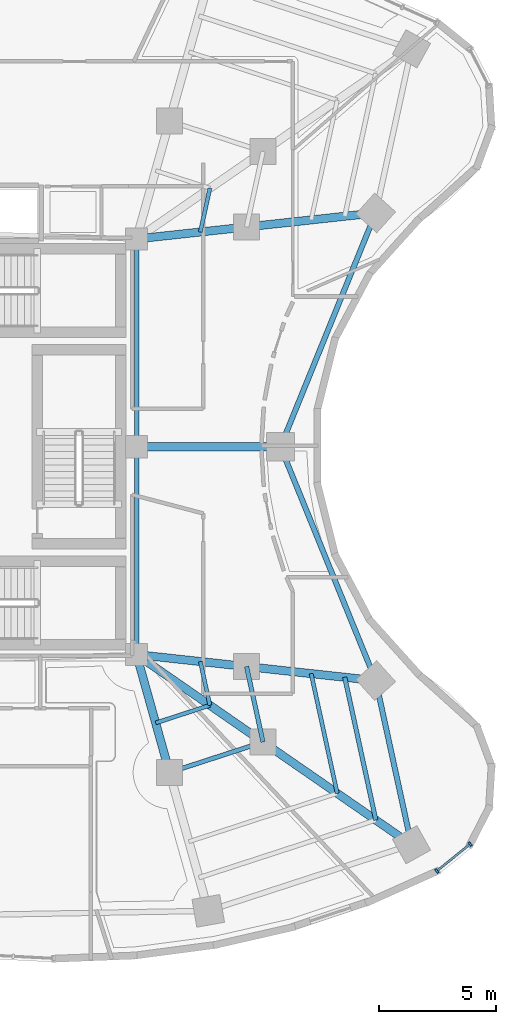
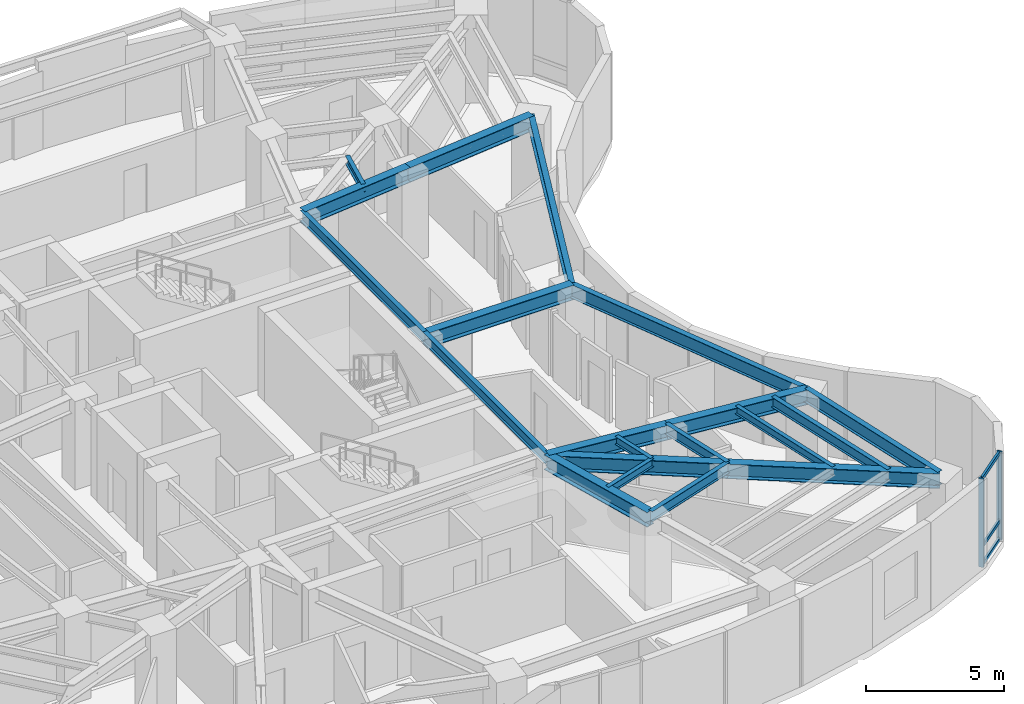
# One storey, part 4 of 15: 20 beams, 5 members, 1 element without a shape of its own.
"""IFC4 building model written with IfcOpenShell, lengths in metres."""

from ifc_helpers import new_model, si_unit, direction, frame, origin, origin_2d, place, context, subcontext, project, spatial, rectangle, i_section, extrude, material, layer, layer_set, material_profile, profile_set, type_object, element, aggregate, save


model = new_model("IFC4")

# Units and contexts
model_context = context("Model", 3, precision=1e-05, world=origin(), true_north=direction((0.0, 1.0)))
body_context = subcontext(model_context, "Body", "Model", "MODEL_VIEW")
ifc_project = project(units=[si_unit("LENGTHUNIT", "METRE"), si_unit("AREAUNIT", "SQUARE_METRE"), si_unit("VOLUMEUNIT", "CUBIC_METRE"), si_unit("PLANEANGLEUNIT", "RADIAN"), si_unit("MASSUNIT", "GRAM", prefix="KILO")], contexts=[model_context])

# Site, building, storey
site_placement = place(None, origin())
site = spatial("IfcSite", under=ifc_project, at=site_placement, CompositionType="ELEMENT")
building_placement = place(site_placement, origin())
building = spatial("IfcBuilding", under=site, at=building_placement, Name="Korentha Bioscience Tower", CompositionType="ELEMENT")
storey_placement = place(building_placement, frame((0.0, 0.0, 111.0)))
storey = spatial("IfcBuildingStorey", under=building, at=storey_placement, Name="L25", CompositionType="ELEMENT", Elevation=111.0)

# Beams
ifc_material_1 = material(Name="Steel S355", Category="steel")
ifc_material_profile_1 = material_profile(ifc_material_1, i_section(OverallWidth=0.18994140625, OverallDepth=0.45703125, WebThickness=0.009033203125, FlangeThickness=0.014404296875, at=origin_2d()), Name="Steel S355")
ifc_profile_set_1 = profile_set([ifc_material_profile_1], Name="Steel S355 (MB-460)")
beam_type_1 = type_object("IfcBeamType", Name="Mid-Ring Tie Girder W460x74", PredefinedType="BEAM", material=ifc_profile_set_1)
beam_1_placement = place(storey_placement, frame((38.954833984375, 13.129150390625, 3.67138671875), z_axis=(0.95087582253, 0.309572560361, 0.0), x_axis=(-0.309572560361, 0.95087582253, 0.0)))
element("IfcBeam", 1, at=beam_1_placement, inside=storey, type_object=beam_type_1, Name="L25 Mid-Ring Tie Girder 12", PredefinedType="BEAM", context=body_context, shape_type="SweptSolid", body=[
    extrude(i_section(OverallWidth=0.18994140625, OverallDepth=0.45703125, WebThickness=0.009033203125, FlangeThickness=0.014404296875, at=origin_2d()), origin(), (0.0, 0.0, 1.0), 4.186767578125),
])
beam_2_placement = place(storey_placement, frame((42.93603515625, 14.42529296875, 3.67138671875), z_axis=(-0.212928773299, 0.977067724112, 0.0), x_axis=(-0.977067724112, -0.212928773299, 0.0)))
element("IfcBeam", 2, at=beam_2_placement, inside=storey, type_object=beam_type_1, Name="L25 Mid-Ring Tie Girder 13", PredefinedType="BEAM", context=body_context, shape_type="SweptSolid", body=[
    extrude(i_section(OverallWidth=0.18994140625, OverallDepth=0.45703125, WebThickness=0.009033203125, FlangeThickness=0.014404296875, at=origin_2d()), origin(), (0.0, 0.0, 1.0), 3.28955078125),
])
for number, where, z_axis, x_axis, name in (
    (3, (37.550048828125, 18.14990234375, 3.67138671875), (0.0, 1.0, 0.0), (-1.0, 0.0, 0.0), "L25 Core Ring Tie Girder 06"),
    (4, (37.550048828125, 27.0, 3.67138671875), (0.0, 1.0, 0.0), (-1.0, 0.0, 0.0), "L25 Core Ring Tie Girder 07"),
):
    element("IfcBeam", number, at=place(storey_placement, frame(where, z_axis=z_axis, x_axis=x_axis)), inside=storey, type_object=beam_type_1, Name=name, PredefinedType="BEAM", context=body_context, shape_type="SweptSolid", body=[
        extrude(i_section(OverallWidth=0.18994140625, OverallDepth=0.45703125, WebThickness=0.009033203125, FlangeThickness=0.014404296875, at=origin_2d()), origin(), (0.0, 0.0, 1.0), 8.85009765625),
    ])

# Curtain wall, members
ifc_material_2 = material(Name="Thermally Broken Aluminium Frame", Category="aluminium")
ifc_layer = layer(ifc_material_2, 0.219970703125, Name="Thermally Broken Aluminium Frame")
ifc_layer_set = layer_set([ifc_layer], Name="Thermally Broken Aluminium Frame (CW-T1)")
curtain_wall_type = type_object("IfcCurtainWallType", Name="Standard Bioscience Lab Unitised Curtain Wall CW-T1", PredefinedType="USERDEFINED", material=ifc_layer_set)
curtain_wall_placement = place(storey_placement, origin())
curtain_wall = element("IfcCurtainWall", 5, at=curtain_wall_placement, inside=storey, type_object=curtain_wall_type, Name="L25 Curtain Wall 37", ObjectType="UNITISED", PredefinedType="USERDEFINED")
ifc_material_3 = material(Name="Anodised Aluminium 6063-T6", Category="aluminium")
ifc_material_profile_2 = material_profile(ifc_material_3, rectangle(XDim=0.090087890625, YDim=0.199951171875, at=origin_2d()), Name="Anodised Aluminium 6063-T6")
ifc_profile_set_2 = profile_set([ifc_material_profile_2], Name="Anodised Aluminium 6063-T6 (CW-MUL)")
member_type_1 = type_object("IfcMemberType", Name="Mullion RECT 90x200", PredefinedType="MULLION", material=ifc_profile_set_2)
member_1_placement = place(storey_placement, frame((50.337158203125, 8.931884765625, 0.0), z_axis=(0.0, 0.0, 1.0), x_axis=(0.777315301098, 0.629111216463, 0.0)))
member_1 = element("IfcMember", 6, at=member_1_placement, type_object=member_type_1, Name="CW-L25-37 Mullion 1", PredefinedType="MULLION", context=body_context, shape_type="SweptSolid", body=[
    extrude(rectangle(XDim=0.090087890625, YDim=0.199951171875, at=origin_2d()), origin(), (0.0, 0.0, 1.0), 3.89990234375),
])
member_2_placement = place(storey_placement, frame((51.7578125, 10.08154296875, 0.0), z_axis=(0.0, 0.0, 1.0), x_axis=(0.777315301098, 0.629111216463, 0.0)))
member_2 = element("IfcMember", 7, at=member_2_placement, type_object=member_type_1, Name="CW-L25-37 Mullion 2", PredefinedType="MULLION", context=body_context, shape_type="SweptSolid", body=[
    extrude(rectangle(XDim=0.090087890625, YDim=0.199951171875, at=origin_2d()), origin(), (0.0, 0.0, 1.0), 3.89990234375),
])

# Beams
ifc_material_profile_3 = material_profile(ifc_material_1, i_section(OverallWidth=0.22802734375, OverallDepth=0.60791015625, WebThickness=0.01123046875, FlangeThickness=0.017333984375, at=origin_2d()), Name="Steel S355")
ifc_profile_set_3 = profile_set([ifc_material_profile_3], Name="Steel S355 (SB-610)")
beam_type_2 = type_object("IfcBeamType", Name="Perimeter Ring Spandrel Girder W610x113", PredefinedType="SPANDREL", material=ifc_profile_set_3)
beam_3_placement = place(storey_placement, frame((49.2587890625, 10.052978515625, 3.595947265625), z_axis=(-0.212927102256, 0.977068088275, 0.0), x_axis=(-0.977068088275, -0.212927102256, 0.0)))
element("IfcBeam", 8, at=beam_3_placement, inside=storey, type_object=beam_type_2, Name="L25 Perimeter Spandrel Girder 13", PredefinedType="SPANDREL", context=body_context, shape_type="SweptSolid", body=[
    extrude(i_section(OverallWidth=0.22802734375, OverallDepth=0.60791015625, WebThickness=0.01123046875, FlangeThickness=0.017333984375, at=origin_2d()), origin(), (0.0, 0.0, 1.0), 7.1513671875),
])
for number, where, z_axis, x_axis, name in (
    (9, (47.736083984375, 17.040283203125, 3.595947265625), (-0.37709856037, 0.926173134876, 0.0), (-0.926173134876, -0.37709856037, 0.0), "L25 Perimeter Spandrel Girder 14"),
    (10, (43.680908203125, 27.0, 3.595947265625), (0.37709856037, 0.926173134876, 0.0), (-0.926173134876, 0.37709856037, 0.0), "L25 Perimeter Spandrel Girder 15"),
):
    element("IfcBeam", number, at=place(storey_placement, frame(where, z_axis=z_axis, x_axis=x_axis)), inside=storey, type_object=beam_type_2, Name=name, PredefinedType="SPANDREL", context=body_context, shape_type="SweptSolid", body=[
        extrude(i_section(OverallWidth=0.22802734375, OverallDepth=0.60791015625, WebThickness=0.01123046875, FlangeThickness=0.017333984375, at=origin_2d()), origin(), (0.0, 0.0, 1.0), 10.753662109375),
    ])
ifc_material_profile_4 = material_profile(ifc_material_1, i_section(OverallWidth=0.18994140625, OverallDepth=0.45703125, WebThickness=0.009033203125, FlangeThickness=0.014404296875, at=origin_2d()), Name="Steel S355")
ifc_profile_set_4 = profile_set([ifc_material_profile_4], Name="Steel S355 (RB-460)")
beam_type_3 = type_object("IfcBeamType", Name="Radial Laboratory Beam W460x74", PredefinedType="BEAM", material=ifc_profile_set_4)
beam_4_placement = place(storey_placement, frame((47.7412109375, 11.1025390625, 3.67138671875), z_axis=(-0.21290837934, 0.977072168269, 0.0), x_axis=(-0.977072168269, -0.21290837934, 0.0)))
element("IfcBeam", 11, at=beam_4_placement, inside=storey, type_object=beam_type_3, Name="L25 Secondary Floor Beam JSTO-13", PredefinedType="BEAM", context=body_context, shape_type="SweptSolid", body=[
    extrude(i_section(OverallWidth=0.18994140625, OverallDepth=0.45703125, WebThickness=0.009033203125, FlangeThickness=0.014404296875, at=origin_2d()), origin(), (0.0, 0.0, 1.0), 6.224365234375),
])
ifc_material_profile_5 = material_profile(ifc_material_1, i_section(OverallWidth=0.35009765625, OverallDepth=0.64990234375, WebThickness=0.01611328125, FlangeThickness=0.02490234375, at=origin_2d()), Name="Steel S355")
ifc_profile_set_5 = profile_set([ifc_material_profile_5], Name="Steel S355 (RB-650)")
beam_type_4 = type_object("IfcBeamType", Name="Radial Laboratory Girder CVS 650x208", PredefinedType="BEAM", material=ifc_profile_set_5)
beam_5_placement = place(storey_placement, frame((37.550048828125, 18.14990234375, 3.574951171875), z_axis=(0.269447542125, -0.96301506844, 0.0), x_axis=(0.96301506844, 0.269447542125, 0.0)))
element("IfcBeam", 12, at=beam_5_placement, inside=storey, type_object=beam_type_4, Name="L25 Inner Radial Girder 12", PredefinedType="BEAM", context=body_context, shape_type="SweptSolid", body=[
    extrude(i_section(OverallWidth=0.35009765625, OverallDepth=0.64990234375, WebThickness=0.01611328125, FlangeThickness=0.02490234375, at=origin_2d()), origin(), (0.0, 0.0, 1.0), 5.213623046875),
])
beam_6_placement = place(storey_placement, frame((37.550048828125, 18.14990234375, 3.574951171875), z_axis=(0.822488699387, -0.568781451333, 0.0), x_axis=(0.568781451333, 0.822488699387, 0.0)))
element("IfcBeam", 13, at=beam_6_placement, inside=storey, type_object=beam_type_4, Name="L25 Inner Radial Girder 13", PredefinedType="BEAM", context=body_context, shape_type="SweptSolid", body=[
    extrude(i_section(OverallWidth=0.35009765625, OverallDepth=0.64990234375, WebThickness=0.01611328125, FlangeThickness=0.02490234375, at=origin_2d()), origin(), (0.0, 0.0, 1.0), 6.54833984375),
])
beam_7_placement = place(storey_placement, frame((42.93603515625, 14.42529296875, 3.574951171875), z_axis=(0.822495056204, -0.568772258922, 0.0), x_axis=(0.568772258922, 0.822495056204, 0.0)))
element("IfcBeam", 14, at=beam_7_placement, inside=storey, type_object=beam_type_4, Name="L25 Outer Radial Girder 13", PredefinedType="BEAM", context=body_context, shape_type="SweptSolid", body=[
    extrude(i_section(OverallWidth=0.35009765625, OverallDepth=0.64990234375, WebThickness=0.01611328125, FlangeThickness=0.02490234375, at=origin_2d()), origin(), (0.0, 0.0, 1.0), 7.687255859375),
])
beam_8_placement = place(storey_placement, frame((37.550048828125, 18.14990234375, 3.574951171875), z_axis=(0.994117092476, -0.108310694058, 0.0), x_axis=(0.108310694058, 0.994117092476, 0.0)))
element("IfcBeam", 15, at=beam_8_placement, inside=storey, type_object=beam_type_4, Name="L25 Inner Radial Girder 14", PredefinedType="BEAM", context=body_context, shape_type="SweptSolid", body=[
    extrude(i_section(OverallWidth=0.35009765625, OverallDepth=0.64990234375, WebThickness=0.01611328125, FlangeThickness=0.02490234375, at=origin_2d()), origin(), (0.0, 0.0, 1.0), 4.71337890625),
])
beam_9_placement = place(storey_placement, frame((42.235595703125, 17.639404296875, 3.574951171875), z_axis=(0.994120325557, -0.108281015487, 0.0), x_axis=(0.108281015487, 0.994120325557, 0.0)))
element("IfcBeam", 16, at=beam_9_placement, inside=storey, type_object=beam_type_4, Name="L25 Outer Radial Girder 14", PredefinedType="BEAM", context=body_context, shape_type="SweptSolid", body=[
    extrude(i_section(OverallWidth=0.35009765625, OverallDepth=0.64990234375, WebThickness=0.01611328125, FlangeThickness=0.02490234375, at=origin_2d()), origin(), (0.0, 0.0, 1.0), 5.532958984375),
])
beam_10_placement = place(storey_placement, frame((37.550048828125, 27.0, 3.574951171875), z_axis=(1.0, 0.0, 0.0), x_axis=(0.0, 1.0, 0.0)))
element("IfcBeam", 17, at=beam_10_placement, inside=storey, type_object=beam_type_4, Name="L25 Radial Girder 15", PredefinedType="BEAM", context=body_context, shape_type="SweptSolid", body=[
    extrude(i_section(OverallWidth=0.35009765625, OverallDepth=0.64990234375, WebThickness=0.01611328125, FlangeThickness=0.02490234375, at=origin_2d()), origin(), (0.0, 0.0, 1.0), 6.130859375),
])
beam_11_placement = place(storey_placement, frame((37.550048828125, 35.85009765625, 3.574951171875), z_axis=(0.994117092476, 0.108310694058, 0.0), x_axis=(-0.108310694058, 0.994117092476, 0.0)))
element("IfcBeam", 18, at=beam_11_placement, inside=storey, type_object=beam_type_4, Name="L25 Inner Radial Girder 16", PredefinedType="BEAM", context=body_context, shape_type="SweptSolid", body=[
    extrude(i_section(OverallWidth=0.35009765625, OverallDepth=0.64990234375, WebThickness=0.01611328125, FlangeThickness=0.02490234375, at=origin_2d()), origin(), (0.0, 0.0, 1.0), 4.71337890625),
])
beam_12_placement = place(storey_placement, frame((42.235595703125, 36.360595703125, 3.574951171875), z_axis=(0.994120325557, 0.108281015487, 0.0), x_axis=(-0.108281015487, 0.994120325557, 0.0)))
element("IfcBeam", 19, at=beam_12_placement, inside=storey, type_object=beam_type_4, Name="L25 Outer Radial Girder 16", PredefinedType="BEAM", context=body_context, shape_type="SweptSolid", body=[
    extrude(i_section(OverallWidth=0.35009765625, OverallDepth=0.64990234375, WebThickness=0.01611328125, FlangeThickness=0.02490234375, at=origin_2d()), origin(), (0.0, 0.0, 1.0), 5.532958984375),
])
ifc_material_profile_6 = material_profile(ifc_material_1, i_section(OverallWidth=0.1708984375, OverallDepth=0.35498046875, WebThickness=0.007080078125, FlangeThickness=0.01171875, at=origin_2d()), Name="Steel S355")
ifc_profile_set_6 = profile_set([ifc_material_profile_6], Name="Steel S355 (JB-360)")
beam_type_5 = type_object("IfcBeamType", Name="Secondary Laboratory Joist W360x51", PredefinedType="JOIST", material=ifc_profile_set_6)
beam_13_placement = place(storey_placement, frame((38.36474609375, 15.23779296875, 3.722412109375), z_axis=(0.950852158547, 0.30964523666, 0.0), x_axis=(-0.30964523666, 0.950852158547, 0.0)))
element("IfcBeam", 20, at=beam_13_placement, inside=storey, type_object=beam_type_5, Name="L25 Inner Bay Joist 12", PredefinedType="JOIST", context=body_context, shape_type="SweptSolid", body=[
    extrude(i_section(OverallWidth=0.1708984375, OverallDepth=0.35498046875, WebThickness=0.007080078125, FlangeThickness=0.01171875, at=origin_2d()), origin(), (0.0, 0.0, 1.0), 2.428466796875),
])
beam_14_placement = place(storey_placement, frame((46.097412109375, 12.2392578125, 3.722412109375), z_axis=(-0.212932493609, 0.977066913351, 0.0), x_axis=(-0.977066913351, -0.212932493609, 0.0)))
element("IfcBeam", 21, at=beam_14_placement, inside=storey, type_object=beam_type_5, Name="L25 Secondary Floor Beam JST-13", PredefinedType="JOIST", context=body_context, shape_type="SweptSolid", body=[
    extrude(i_section(OverallWidth=0.1708984375, OverallDepth=0.35498046875, WebThickness=0.007080078125, FlangeThickness=0.01171875, at=origin_2d()), origin(), (0.0, 0.0, 1.0), 5.22021484375),
])
for number, where, z_axis, x_axis, name in (
    (22, (40.673828125, 15.98974609375, 3.722412109375), (-0.212918344001, 0.977069996872, 0.0), (-0.977069996872, -0.212918344001, 0.0), "L25 Inner Bay Joist 13"),
    (23, (40.267578125, 36.14599609375, 3.722412109375), (0.212918344001, 0.977069996872, 0.0), (-0.977069996872, 0.212918344001, 0.0), "L25 Inner Bay Joist 16"),
):
    element("IfcBeam", number, at=place(storey_placement, frame(where, z_axis=z_axis, x_axis=x_axis)), inside=storey, type_object=beam_type_5, Name=name, PredefinedType="JOIST", context=body_context, shape_type="SweptSolid", body=[
        extrude(i_section(OverallWidth=0.1708984375, OverallDepth=0.35498046875, WebThickness=0.007080078125, FlangeThickness=0.01171875, at=origin_2d()), origin(), (0.0, 0.0, 1.0), 1.907958984375),
    ])

# Member
ifc_material_profile_7 = material_profile(ifc_material_3, rectangle(XDim=0.090087890625, YDim=0.159912109375, at=origin_2d()), Name="Anodised Aluminium 6063-T6")
ifc_profile_set_7 = profile_set([ifc_material_profile_7], Name="Anodised Aluminium 6063-T6 (CW-TRN)")
member_type_2 = type_object("IfcMemberType", Name="Transom RECT 90x160", PredefinedType="USERDEFINED", material=ifc_profile_set_7)
member_3_placement = place(storey_placement, frame((50.3720703125, 8.960205078125, 0.044921875), z_axis=(0.777333214738, 0.629089082137, 0.0), x_axis=(-0.629089082137, 0.777333214738, 0.0)))
member_3 = element("IfcMember", 24, at=member_3_placement, type_object=member_type_2, Name="CW-L25-37 Bay 1 Transom 1", ObjectType="TRANSOM", PredefinedType="USERDEFINED", context=body_context, shape_type="SweptSolid", body=[
    extrude(rectangle(XDim=0.090087890625, YDim=0.159912109375, at=origin_2d()), origin(), (0.0, 0.0, 1.0), 1.737548828125),
])

member_4_placement = place(storey_placement, frame((50.3720703125, 8.960205078125, 0.85009765625), z_axis=(0.777333214738, 0.629089082137, 0.0), x_axis=(-0.629089082137, 0.777333214738, 0.0)))
member_4 = element("IfcMember", 25, at=member_4_placement, type_object=member_type_2, Name="CW-L25-37 Bay 1 Transom 2", ObjectType="TRANSOM", PredefinedType="USERDEFINED", context=body_context, shape_type="SweptSolid", body=[
    extrude(rectangle(XDim=0.090087890625, YDim=0.159912109375, at=origin_2d()), origin(), (0.0, 0.0, 1.0), 1.737548828125),
])

member_5_placement = place(storey_placement, frame((50.3720703125, 8.960205078125, 3.85498046875), z_axis=(0.777333214738, 0.629089082137, 0.0), x_axis=(-0.629089082137, 0.777333214738, 0.0)))
member_5 = element("IfcMember", 26, at=member_5_placement, type_object=member_type_2, Name="CW-L25-37 Bay 1 Transom 3", ObjectType="TRANSOM", PredefinedType="USERDEFINED", context=body_context, shape_type="SweptSolid", body=[
    extrude(rectangle(XDim=0.090087890625, YDim=0.159912109375, at=origin_2d()), origin(), (0.0, 0.0, 1.0), 1.737548828125),
])

aggregate(curtain_wall, [member_1, member_2, member_3, member_4, member_5])

save(model, "model.ifc")
